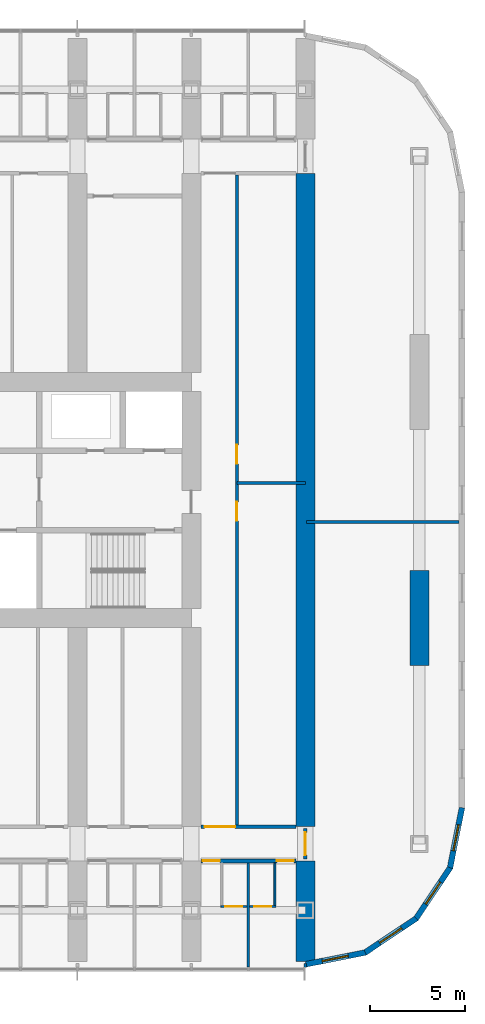
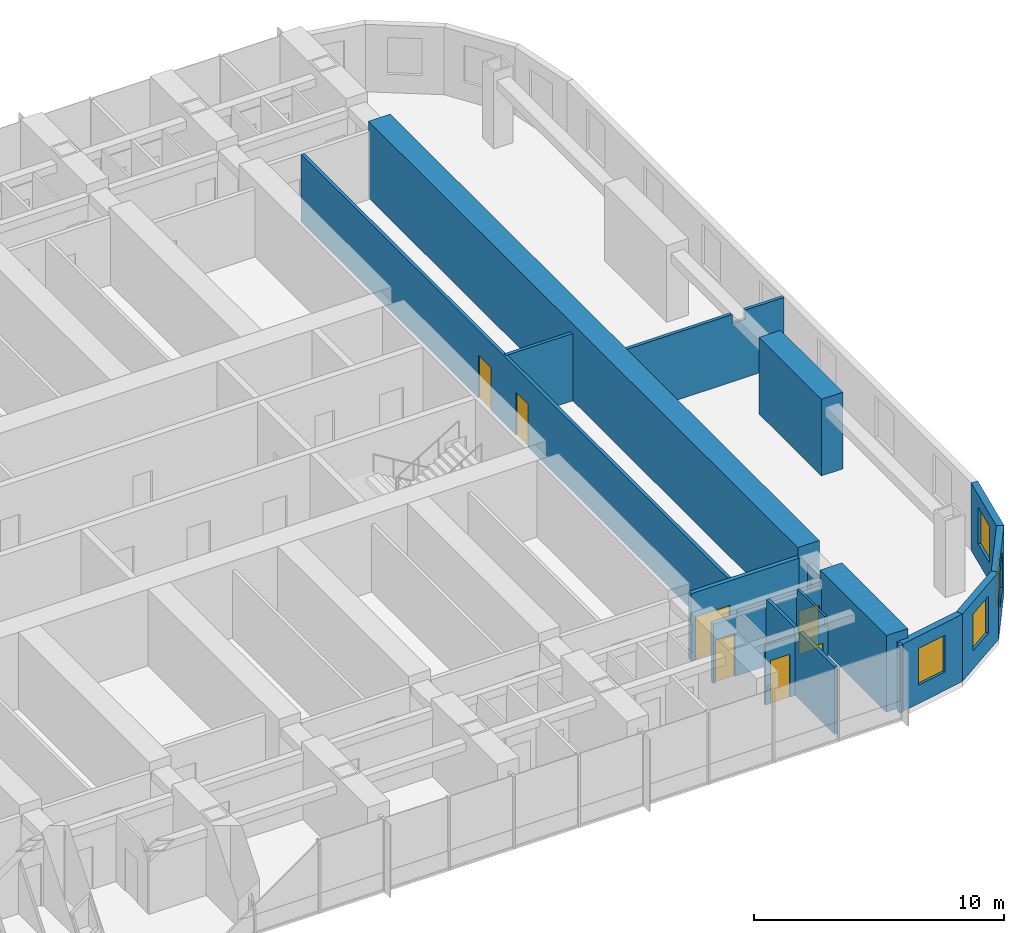
# One storey, part 18 of 24: 18 walls, 8 doors, 4 windows, 12 openings.
"""IFC4 building model written with IfcOpenShell, lengths in metres."""

from ifc_helpers import new_model, si_unit, direction, frame, frame_2d, origin, place, context, subcontext, project, spatial, polyline, rectangle, outline, extrude, material, layer, layer_set, type_object, element, fill, save


model = new_model("IFC4")

# Units and contexts
model_context = context("Model", 3, precision=1e-05, world=origin(), true_north=direction((0.0, 1.0)))
body_context = subcontext(model_context, "Body", "Model", "MODEL_VIEW")
ifc_project = project(units=[si_unit("LENGTHUNIT", "METRE"), si_unit("AREAUNIT", "SQUARE_METRE"), si_unit("VOLUMEUNIT", "CUBIC_METRE"), si_unit("PLANEANGLEUNIT", "RADIAN"), si_unit("MASSUNIT", "GRAM", prefix="KILO")], contexts=[model_context])

# Site, building, storey
site_placement = place(None, origin())
site = spatial("IfcSite", under=ifc_project, at=site_placement, CompositionType="ELEMENT")
building_placement = place(site_placement, origin())
building = spatial("IfcBuilding", under=site, at=building_placement, Name="Orbita Commons", CompositionType="ELEMENT")
storey_placement = place(building_placement, frame((0.0, 0.0, 35.199951171875)))
storey = spatial("IfcBuildingStorey", under=building, at=storey_placement, Name="L08", CompositionType="ELEMENT", Elevation=35.199951171875)

# Wall, openings, doors
ifc_material_1 = material(Name="Concrete blockwork", Category="masonry")
ifc_layer_1 = layer(ifc_material_1, 0.199951171875)
ifc_layer_set_1 = layer_set([ifc_layer_1], Name="Concrete blockwork")
wall_type_1 = type_object("IfcWallType", Name="Corridor wall 200 blockwork", PredefinedType="SOLIDWALL", material=ifc_layer_set_1)
wall_1_placement = place(storey_placement, frame((66.5, 13.0, 0.0), z_axis=(0.0, 0.0, 1.0), x_axis=(1.0, 0.0, 0.0)))
wall_1 = element("IfcWall", 1, at=wall_1_placement, inside=storey, type_object=wall_type_1, Name="Corridor wall 200 blockwork L08", PredefinedType="SOLIDWALL", context=body_context, shape_type="SweptSolid", body=[
    extrude(outline(polyline([(0.0, 0.0), (5.0, 0.0), (5.0, 2.900146484375), (0.0, 2.900146484375), (0.0, 0.0)])), frame((0.0, 0.10009765625, 0.0), z_axis=(0.0, -1.0, 0.0), x_axis=(1.0, 0.0, 0.0)), (0.0, 0.0, 1.0), 0.199951171875),
])
opening_1_placement = place(wall_1_placement, frame((0.10009765625, 0.0, 0.0)))
opening_1 = element("IfcOpeningElement", 2, at=opening_1_placement, cuts=wall_1, Name="Opening D11", PredefinedType="OPENING", context=body_context, shape_type="SweptSolid", body=[
    extrude(rectangle(XDim=0.89990234375, YDim=2.10009765625, at=frame_2d((0.449951171875, 1.050048828125))), frame((0.0, 0.10986328125, 0.0), z_axis=(0.0, -1.0, 0.0), x_axis=(1.0, 0.0, 0.0)), (0.0, 0.0, 1.0), 0.219970703125),
])
opening_2_placement = place(wall_1_placement, frame((4.0, 0.0, 0.0)))
opening_2 = element("IfcOpeningElement", 3, at=opening_2_placement, cuts=wall_1, Name="Opening D11", PredefinedType="OPENING", context=body_context, shape_type="SweptSolid", body=[
    extrude(rectangle(XDim=0.89990234375, YDim=2.10009765625, at=frame_2d((0.449951171875, 1.050048828125))), frame((0.0, 0.10986328125, 0.0), z_axis=(0.0, -1.0, 0.0), x_axis=(1.0, 0.0, 0.0)), (0.0, 0.0, 1.0), 0.219970703125),
])
ifc_material_2 = material(Name="Steel-faced fire door leaf", Category="steel")
door_type_1 = type_object("IfcDoorType", Name="Corridor door 20 min 900x2100", OperationType="SINGLE_SWING_LEFT", PredefinedType="DOOR", material=ifc_material_2)
door_1_placement = place(opening_1_placement, origin())
door_1 = element("IfcDoor", 4, at=door_1_placement, inside=storey, type_object=door_type_1, Name="House bedroom L08-S18 door", OperationType="SINGLE_SWING_LEFT", OverallHeight=2.10009765625, OverallWidth=0.89990234375, PredefinedType="DOOR", context=body_context, shape_type="SweptSolid", body=[
    extrude(rectangle(XDim=0.89990234375, YDim=2.10009765625, at=frame_2d((0.449951171875, 1.050048828125))), frame((0.0, 0.02490234375, 0.0), z_axis=(0.0, -1.0, 0.0), x_axis=(1.0, 0.0, 0.0)), (0.0, 0.0, 1.0), 0.050048828125),
])
fill(opening_1, door_1)
door_2_placement = place(opening_2_placement, origin())
door_2 = element("IfcDoor", 5, at=door_2_placement, inside=storey, type_object=door_type_1, Name="House bedroom L08-S19 door", OperationType="SINGLE_SWING_LEFT", OverallHeight=2.10009765625, OverallWidth=0.89990234375, PredefinedType="DOOR", context=body_context, shape_type="SweptSolid", body=[
    extrude(rectangle(XDim=0.89990234375, YDim=2.10009765625, at=frame_2d((0.449951171875, 1.050048828125))), frame((0.0, 0.02490234375, 0.0), z_axis=(0.0, -1.0, 0.0), x_axis=(1.0, 0.0, 0.0)), (0.0, 0.0, 1.0), 0.050048828125),
])
fill(opening_2, door_2)

# Wall, opening, door
wall_2_placement = place(storey_placement, frame((72.0, 13.10009765625, 0.0), z_axis=(0.0, 0.0, 1.0), x_axis=(0.0, 1.0, 0.0)))
wall_2 = element("IfcWall", 6, at=wall_2_placement, inside=storey, type_object=wall_type_1, Name="Corridor wall 200 blockwork L08", PredefinedType="SOLIDWALL", context=body_context, shape_type="SweptSolid", body=[
    extrude(outline(polyline([(0.0, 0.0), (1.599853515625, 0.0), (1.60009765625, 2.85009765625), (0.0, 2.85009765625), (0.0, 0.0)])), frame((0.0, 0.10009765625, 0.0), z_axis=(0.0, -1.0, 0.0), x_axis=(1.0, 0.0, 0.0)), (0.0, 0.0, 1.0), 0.199951171875),
])
opening_3_placement = place(wall_2_placement, frame((0.199951171875, 0.0, 0.0)))
opening_3 = element("IfcOpeningElement", 7, at=opening_3_placement, cuts=wall_2, Name="Opening D12", PredefinedType="OPENING", context=body_context, shape_type="SweptSolid", body=[
    extrude(rectangle(XDim=1.199951171875, YDim=2.10009765625, at=frame_2d((0.60009765625, 1.050048828125))), frame((0.0, 0.10986328125, 0.0), z_axis=(0.0, -1.0, 0.0), x_axis=(1.0, 0.0, 0.0)), (0.0, 0.0, 1.0), 0.219970703125),
])
ifc_material_3 = material(Name="Steel-faced fire door leaf", Category="steel")
door_type_2 = type_object("IfcDoorType", Name="Double corridor door 20 min 1200x2100", OperationType="DOUBLE_DOOR_SINGLE_SWING", PredefinedType="DOOR", material=ifc_material_3)
door_3_placement = place(opening_3_placement, origin())
door_3 = element("IfcDoor", 8, at=door_3_placement, inside=storey, type_object=door_type_2, Name="Lounge doors", OperationType="DOUBLE_DOOR_SINGLE_SWING", OverallHeight=2.10009765625, OverallWidth=1.199951171875, PredefinedType="DOOR", context=body_context, shape_type="SweptSolid", body=[
    extrude(rectangle(XDim=1.199951171875, YDim=2.10009765625, at=frame_2d((0.60009765625, 1.050048828125))), frame((0.0, 0.02490234375, 0.0), z_axis=(0.0, -1.0, 0.0), x_axis=(1.0, 0.0, 0.0)), (0.0, 0.0, 1.0), 0.050048828125),
])
fill(opening_3, door_3)

ifc_material_4 = material(Name="Hollow concrete block 200", Category="concrete")
ifc_layer_2 = layer(ifc_material_4, 0.199951171875)
ifc_layer_set_2 = layer_set([ifc_layer_2], Name="Hollow concrete block 200")
wall_type_2 = type_object("IfcWallType", Name="Corridor wall 200 hollow concrete block", PredefinedType="SOLIDWALL", material=ifc_layer_set_2)
wall_3_placement = place(storey_placement, frame((66.5, 14.800048828125, 0.0), z_axis=(0.0, 0.0, 1.0), x_axis=(1.0, 0.0, 0.0)))
wall_3 = element("IfcWall", 9, at=wall_3_placement, inside=storey, type_object=wall_type_2, Name="Corridor wall 200 hollow concrete block L08", PredefinedType="SOLIDWALL", context=body_context, shape_type="SweptSolid", body=[
    extrude(rectangle(XDim=5.0, YDim=0.199951171875, at=frame_2d((2.5, 0.0))), origin(), (0.0, 0.0, 1.0), 3.300048828125),
])
opening_4_placement = place(wall_3_placement, frame((0.199951171875, 0.0, 0.0)))
opening_4 = element("IfcOpeningElement", 10, at=opening_4_placement, cuts=wall_3, Name="Opening D10", PredefinedType="OPENING", context=body_context, shape_type="SweptSolid", body=[
    extrude(rectangle(XDim=1.60009765625, YDim=2.10009765625, at=frame_2d((0.800048828125, 1.050048828125))), frame((0.0, 0.10986328125, 0.0), z_axis=(0.0, -1.0, 0.0), x_axis=(1.0, 0.0, 0.0)), (0.0, 0.0, 1.0), 0.219970703125),
])
ifc_material_5 = material(Name="Steel-faced fire door leaf", Category="steel")
door_type_3 = type_object("IfcDoorType", Name="Double corridor door 20 min 1600x2100", OperationType="DOUBLE_DOOR_SINGLE_SWING", PredefinedType="DOOR", material=ifc_material_5)
door_4_placement = place(opening_4_placement, origin())
door_4 = element("IfcDoor", 11, at=door_4_placement, inside=storey, type_object=door_type_3, Name="Cross corridor doors", OperationType="DOUBLE_DOOR_SINGLE_SWING", OverallHeight=2.10009765625, OverallWidth=1.60009765625, PredefinedType="DOOR", context=body_context, shape_type="SweptSolid", body=[
    extrude(rectangle(XDim=1.60009765625, YDim=2.10009765625, at=frame_2d((0.800048828125, 1.050048828125))), frame((0.0, 0.02490234375, 0.0), z_axis=(0.0, -1.0, 0.0), x_axis=(1.0, 0.0, 0.0)), (0.0, 0.0, 1.0), 0.050048828125),
])
fill(opening_4, door_4)

# Walls
ifc_material_6 = material(Name="Concrete C50/60", Category="concrete")
ifc_layer_3 = layer(ifc_material_6, 1.0)
ifc_layer_set_3 = layer_set([ifc_layer_3], Name="Concrete C50/60")
wall_type_3 = type_object("IfcWallType", Name="Cross wall 1000 C50/60", PredefinedType="SHEAR", material=ifc_layer_set_3)
wall_4_placement = place(storey_placement, frame((72.0, 7.699951171875, 0.0), z_axis=(0.0, 0.0, 1.0), x_axis=(0.0, 1.0, 0.0)))
element("IfcWall", 12, at=wall_4_placement, inside=storey, type_object=wall_type_3, Name="Cross wall 13 south outer L08", PredefinedType="SHEAR", context=body_context, shape_type="SweptSolid", body=[
    extrude(rectangle(XDim=5.300048828125, YDim=1.0, at=frame_2d((2.64990234375, 0.0))), origin(), (0.0, 0.0, 1.0), 3.75),
])
wall_5_placement = place(storey_placement, frame((72.0, 14.800048828125, 0.0), z_axis=(0.0, 0.0, 1.0), x_axis=(0.0, 1.0, 0.0)))
element("IfcWall", 13, at=wall_5_placement, inside=storey, type_object=wall_type_3, Name="Cross wall 13 inner L08", PredefinedType="SHEAR", context=body_context, shape_type="SweptSolid", body=[
    extrude(rectangle(XDim=34.39990234375, YDim=1.0, at=frame_2d((17.199951171875, 0.0))), origin(), (0.0, 0.0, 1.0), 3.75),
])

# Wall, opening, door
ifc_material_7 = material(Name="Moisture-resistant plasterboard on steel studs", Category="steel")
ifc_layer_4 = layer(ifc_material_7, 0.10009765625)
ifc_layer_set_4 = layer_set([ifc_layer_4], Name="Moisture-resistant plasterboard on steel studs")
wall_type_4 = type_object("IfcWallType", Name="En-suite partition 100", PredefinedType="PARTITIONING", material=ifc_layer_set_4)
wall_6_placement = place(storey_placement, frame((68.925048828125, 10.59814453125, 0.0), z_axis=(0.0, 0.0, 1.0), x_axis=(-1.0, 0.0, 0.0)))
wall_6 = element("IfcWall", 14, at=wall_6_placement, inside=storey, type_object=wall_type_4, Name="En-suite partition 100 L08", PredefinedType="PARTITIONING", context=body_context, shape_type="SweptSolid", body=[
    extrude(outline(polyline([(0.0, 0.0), (1.375, 0.0), (1.375, 2.900146484375), (0.0, 2.900146484375), (0.0, 0.0)])), frame((0.0, 0.050048828125, 0.0), z_axis=(0.0, -1.0, 0.0), x_axis=(1.0, 0.0, 0.0)), (0.0, 0.0, 1.0), 0.10009765625),
])
opening_5_placement = place(wall_6_placement, frame((0.237548828125, 0.0, 0.0)))
opening_5 = element("IfcOpeningElement", 15, at=opening_5_placement, cuts=wall_6, Name="Opening D09", PredefinedType="OPENING", context=body_context, shape_type="SweptSolid", body=[
    extrude(rectangle(XDim=0.89990234375, YDim=2.10009765625, at=frame_2d((0.449951171875, 1.050048828125))), frame((0.0, 0.06005859375, 0.0), z_axis=(0.0, -1.0, 0.0), x_axis=(1.0, 0.0, 0.0)), (0.0, 0.0, 1.0), 0.1201171875),
])
ifc_material_8 = material(Name="Laminated timber door leaf", Category="wood")
door_type_4 = type_object("IfcDoorType", Name="En-suite door 900x2100", OperationType="SINGLE_SWING_RIGHT", PredefinedType="DOOR", material=ifc_material_8)
door_5_placement = place(opening_5_placement, origin())
door_5 = element("IfcDoor", 16, at=door_5_placement, inside=storey, type_object=door_type_4, Name="En-suite L08-S18 door", OperationType="SINGLE_SWING_RIGHT", OverallHeight=2.10009765625, OverallWidth=0.89990234375, PredefinedType="DOOR", context=body_context, shape_type="SweptSolid", body=[
    extrude(rectangle(XDim=0.89990234375, YDim=2.10009765625, at=frame_2d((0.449951171875, 1.050048828125))), frame((0.0, 0.02490234375, 0.0), z_axis=(0.0, -1.0, 0.0), x_axis=(1.0, 0.0, 0.0)), (0.0, 0.0, 1.0), 0.050048828125),
])
fill(opening_5, door_5)

wall_7_placement = place(storey_placement, frame((70.449951171875, 10.59814453125, 0.0), z_axis=(0.0, 0.0, 1.0), x_axis=(-1.0, 0.0, 0.0)))
wall_7 = element("IfcWall", 17, at=wall_7_placement, inside=storey, type_object=wall_type_4, Name="En-suite partition 100 L08", PredefinedType="PARTITIONING", context=body_context, shape_type="SweptSolid", body=[
    extrude(outline(polyline([(0.0, 0.0), (1.375, 0.0), (1.375, 2.900146484375), (0.0, 2.900146484375), (0.0, 0.0)])), frame((0.0, 0.050048828125, 0.0), z_axis=(0.0, -1.0, 0.0), x_axis=(1.0, 0.0, 0.0)), (0.0, 0.0, 1.0), 0.10009765625),
])
opening_6_placement = place(wall_7_placement, frame((0.237548828125, 0.0, 0.0)))
opening_6 = element("IfcOpeningElement", 18, at=opening_6_placement, cuts=wall_7, Name="Opening D09", PredefinedType="OPENING", context=body_context, shape_type="SweptSolid", body=[
    extrude(rectangle(XDim=0.89990234375, YDim=2.10009765625, at=frame_2d((0.449951171875, 1.050048828125))), frame((0.0, 0.06005859375, 0.0), z_axis=(0.0, -1.0, 0.0), x_axis=(1.0, 0.0, 0.0)), (0.0, 0.0, 1.0), 0.1201171875),
])
door_6_placement = place(opening_6_placement, origin())
door_6 = element("IfcDoor", 19, at=door_6_placement, inside=storey, type_object=door_type_4, Name="En-suite L08-S19 door", OperationType="SINGLE_SWING_RIGHT", OverallHeight=2.10009765625, OverallWidth=0.89990234375, PredefinedType="DOOR", context=body_context, shape_type="SweptSolid", body=[
    extrude(rectangle(XDim=0.89990234375, YDim=2.10009765625, at=frame_2d((0.449951171875, 1.050048828125))), frame((0.0, 0.02490234375, 0.0), z_axis=(0.0, -1.0, 0.0), x_axis=(1.0, 0.0, 0.0)), (0.0, 0.0, 1.0), 0.050048828125),
])
fill(opening_6, door_6)

# Walls
wall_8_placement = place(storey_placement, frame((70.39990234375, 10.648193359375, 0.0), z_axis=(0.0, 0.0, 1.0), x_axis=(0.0, 1.0, 0.0)))
element("IfcWall", 20, at=wall_8_placement, inside=storey, type_object=wall_type_4, Name="En-suite partition 100 L08", PredefinedType="PARTITIONING", context=body_context, shape_type="SweptSolid", body=[
    extrude(outline(polyline([(0.0, 0.0), (2.251708984375, 0.0), (2.251953125, 2.900146484375), (2.203857421875, 2.900146484375), (2.201904296875, 3.300048828125), (0.0, 3.300048828125), (0.0, 0.0)])), frame((0.0, 0.050048828125, 0.0), z_axis=(0.0, -1.0, 0.0), x_axis=(1.0, 0.0, 0.0)), (0.0, 0.0, 1.0), 0.10009765625),
])
ifc_material_9 = material(Name="Concrete C50/60", Category="concrete")
ifc_layer_5 = layer(ifc_material_9, 1.0)
ifc_layer_set_5 = layer_set([ifc_layer_5], Name="Concrete C50/60")
wall_type_5 = type_object("IfcWallType", Name="End pier 1000x5000 C50/60", PredefinedType="SHEAR", material=ifc_layer_set_5)
wall_9_placement = place(storey_placement, frame((78.0, 23.300048828125, 0.0), z_axis=(0.0, 0.0, 1.0), x_axis=(0.0, 1.0, 0.0)))
element("IfcWall", 21, at=wall_9_placement, inside=storey, type_object=wall_type_5, Name="End pier 14/C L08", PredefinedType="SHEAR", context=body_context, shape_type="SweptSolid", body=[
    extrude(rectangle(XDim=5.0, YDim=1.0, at=frame_2d((2.5, 0.0))), origin(), (0.0, 0.0, 1.0), 3.75),
])

# Wall, openings, doors
ifc_material_10 = material(Name="Gypsum plasterboard on steel studs", Category="steel")
ifc_layer_6 = layer(ifc_material_10, 0.14990234375)
ifc_layer_set_6 = layer_set([ifc_layer_6], Name="Gypsum plasterboard on steel studs")
wall_type_6 = type_object("IfcWallType", Name="Partition 150 plasterboard", PredefinedType="PARTITIONING", material=ifc_layer_set_6)
wall_10_placement = place(storey_placement, frame((68.39990234375, 14.89990234375, 0.0), z_axis=(0.0, 0.0, 1.0), x_axis=(0.0, 1.0, 0.0)))
wall_10 = element("IfcWall", 22, at=wall_10_placement, inside=storey, type_object=wall_type_6, Name="Partition 150 plasterboard L08", PredefinedType="PARTITIONING", context=body_context, shape_type="SweptSolid", body=[
    extrude(rectangle(XDim=34.2001953125, YDim=0.14990234375, at=frame_2d((17.10009765625, 0.0))), origin(), (0.0, 0.0, 1.0), 3.300048828125),
])
opening_7_placement = place(wall_10_placement, frame((16.0, 0.0, 0.0)))
opening_7 = element("IfcOpeningElement", 23, at=opening_7_placement, cuts=wall_10, Name="Opening D06", PredefinedType="OPENING", context=body_context, shape_type="SweptSolid", body=[
    extrude(rectangle(XDim=1.0, YDim=2.10009765625, at=frame_2d((0.5, 1.050048828125))), frame((0.0, 0.0849609375, 0.0), z_axis=(0.0, -1.0, 0.0), x_axis=(1.0, 0.0, 0.0)), (0.0, 0.0, 1.0), 0.169921875),
])
opening_8_placement = place(wall_10_placement, frame((19.0, 0.0, 0.0)))
opening_8 = element("IfcOpeningElement", 24, at=opening_8_placement, cuts=wall_10, Name="Opening D06", PredefinedType="OPENING", context=body_context, shape_type="SweptSolid", body=[
    extrude(rectangle(XDim=1.0, YDim=2.10009765625, at=frame_2d((0.5, 1.050048828125))), frame((0.0, 0.0849609375, 0.0), z_axis=(0.0, -1.0, 0.0), x_axis=(1.0, 0.0, 0.0)), (0.0, 0.0, 1.0), 0.169921875),
])
ifc_material_11 = material(Name="Steel-faced fire door leaf", Category="steel")
door_type_5 = type_object("IfcDoorType", Name="Corridor door 20 min 1000x2100", OperationType="SINGLE_SWING_LEFT", PredefinedType="DOOR", material=ifc_material_11)
door_7_placement = place(opening_7_placement, origin())
door_7 = element("IfcDoor", 25, at=door_7_placement, inside=storey, type_object=door_type_5, Name="Prayer room door", OperationType="SINGLE_SWING_LEFT", OverallHeight=2.10009765625, OverallWidth=1.0, PredefinedType="DOOR", context=body_context, shape_type="SweptSolid", body=[
    extrude(rectangle(XDim=1.0, YDim=2.10009765625, at=frame_2d((0.5, 1.050048828125))), frame((0.0, 0.02490234375, 0.0), z_axis=(0.0, -1.0, 0.0), x_axis=(1.0, 0.0, 0.0)), (0.0, 0.0, 1.0), 0.050048828125),
])
fill(opening_7, door_7)
door_8_placement = place(opening_8_placement, origin())
door_8 = element("IfcDoor", 26, at=door_8_placement, inside=storey, type_object=door_type_5, Name="Quiet room en door", OperationType="SINGLE_SWING_LEFT", OverallHeight=2.10009765625, OverallWidth=1.0, PredefinedType="DOOR", context=body_context, shape_type="SweptSolid", body=[
    extrude(rectangle(XDim=1.0, YDim=2.10009765625, at=frame_2d((0.5, 1.050048828125))), frame((0.0, 0.02490234375, 0.0), z_axis=(0.0, -1.0, 0.0), x_axis=(1.0, 0.0, 0.0)), (0.0, 0.0, 1.0), 0.050048828125),
])
fill(opening_8, door_8)

# Walls
wall_11_placement = place(storey_placement, frame((68.39990234375, 32.89990234375, 0.0), z_axis=(0.0, 0.0, 1.0), x_axis=(1.0, 0.0, 0.0)))
element("IfcWall", 27, at=wall_11_placement, inside=storey, type_object=wall_type_6, Name="Partition 150 plasterboard L08", PredefinedType="PARTITIONING", context=body_context, shape_type="SweptSolid", body=[
    extrude(rectangle(XDim=3.60009765625, YDim=0.14990234375, at=frame_2d((1.800048828125, 0.0))), origin(), (0.0, 0.0, 1.0), 3.300048828125),
])
wall_12_placement = place(storey_placement, frame((72.074951171875, 30.85009765625, 0.0), z_axis=(0.0, 0.0, 1.0), x_axis=(1.0, 0.0, 0.0)))
element("IfcWall", 28, at=wall_12_placement, inside=storey, type_object=wall_type_6, Name="Partition 150 plasterboard L08", PredefinedType="PARTITIONING", context=body_context, shape_type="SweptSolid", body=[
    extrude(outline(polyline([(0.0, 0.0), (8.02001953125, 0.0), (8.02001953125, 3.300048828125), (6.22705078125, 3.300048828125), (6.22509765625, 2.85009765625), (5.626953125, 2.85009765625), (5.625, 3.300048828125), (0.0, 3.300048828125), (0.0, 0.0)])), frame((0.0, 0.074951171875, 0.0), z_axis=(0.0, -1.0, 0.0), x_axis=(1.0, 0.0, 0.0)), (0.0, 0.0, 1.0), 0.14990234375),
])
wall_13_placement = place(storey_placement, frame((72.0, 7.60009765625, 0.0), z_axis=(0.0, 0.0, 1.0), x_axis=(0.0, -1.0, 0.0)))
element("IfcWall", 29, at=wall_13_placement, inside=storey, type_object=wall_type_6, Name="Partition 150 plasterboard L08", PredefinedType="PARTITIONING", context=body_context, shape_type="SweptSolid", body=[
    extrude(rectangle(XDim=0.22021484375, YDim=0.14990234375, at=frame_2d((0.110107421875, 0.0))), origin(), (0.0, 0.0, 1.0), 3.300048828125),
])
ifc_material_12 = material(Name="Gypsum plasterboard on steel studs", Category="steel")
ifc_layer_7 = layer(ifc_material_12, 0.14990234375)
ifc_layer_set_7 = layer_set([ifc_layer_7], Name="Gypsum plasterboard on steel studs")
wall_type_7 = type_object("IfcWallType", Name="Party wall 150 plasterboard", PredefinedType="PARTITIONING", material=ifc_layer_set_7)
wall_14_placement = place(storey_placement, frame((69.0, 7.409912109375, 0.0), z_axis=(0.0, 0.0, 1.0), x_axis=(0.0, 1.0, 0.0)))
element("IfcWall", 30, at=wall_14_placement, inside=storey, type_object=wall_type_7, Name="Party wall 150 plasterboard L08", PredefinedType="PARTITIONING", context=body_context, shape_type="SweptSolid", body=[
    extrude(outline(polyline([(0.0, 0.0), (5.489990234375, 0.0), (5.489990234375, 2.900146484375), (5.44189453125, 2.900146484375), (5.43994140625, 3.300048828125), (3.19189453125, 3.300048828125), (3.18994140625, 2.900146484375), (2.7919921875, 2.900146484375), (2.7900390625, 3.300048828125), (0.0, 3.300048828125), (0.0, 0.0)])), frame((0.0, 0.074951171875, 0.0), z_axis=(0.0, -1.0, 0.0), x_axis=(1.0, 0.0, 0.0)), (0.0, 0.0, 1.0), 0.14990234375),
])

# Wall, opening, window
ifc_material_13 = material(Name="Precast concrete C40/50, white board-marked finish", Category="concrete")
ifc_layer_8 = layer(ifc_material_13, 0.300048828125)
ifc_layer_set_8 = layer_set([ifc_layer_8], Name="Precast concrete C40/50, white board-marked finish")
wall_type_8 = type_object("IfcWallType", Name="Precast concrete end shield 300", PredefinedType="SOLIDWALL", material=ifc_layer_set_8)
wall_15_placement = place(storey_placement, frame((72.0, 7.550048828125, 0.0), z_axis=(0.0, 0.0, 1.0), x_axis=(0.980787251524, 0.195080412259, 0.0)))
wall_15 = element("IfcWall", 31, at=wall_15_placement, inside=storey, type_object=wall_type_8, Name="End shield SE chord 1 L08", PredefinedType="SOLIDWALL", context=body_context, shape_type="SweptSolid", body=[
    extrude(outline(polyline([(-0.02978515625, -0.14990234375), (3.24853515625, -0.14990234375), (3.18896484375, 0.14990234375), (0.02978515625, 0.14990234375), (-0.02978515625, -0.14990234375)])), origin(), (0.0, 0.0, 1.0), 3.300048828125),
])
opening_9_placement = place(wall_15_placement, frame((0.909423828125, 0.0, 0.89990234375)))
opening_9 = element("IfcOpeningElement", 32, at=opening_9_placement, cuts=wall_15, Name="Opening W02", PredefinedType="OPENING", context=body_context, shape_type="SweptSolid", body=[
    extrude(rectangle(XDim=1.39990234375, YDim=1.800048828125, at=frame_2d((0.699951171875, 0.89990234375))), frame((0.0, 0.159912109375, 0.0), z_axis=(0.0, -1.0, 0.0), x_axis=(1.0, 0.0, 0.0)), (0.0, 0.0, 1.0), 0.320068359375),
])
ifc_material_14 = material(Name="Aluminium frame, clear double glazing", Category="aluminium")
window_type = type_object("IfcWindowType", Name="Deep-set window 1400x1800", PartitioningType="SINGLE_PANEL", PredefinedType="WINDOW", material=ifc_material_14)
window_1_placement = place(opening_9_placement, origin())
window_1 = element("IfcWindow", 33, at=window_1_placement, inside=storey, type_object=window_type, Name="Window L08-SE0", OverallHeight=1.800048828125, OverallWidth=1.39990234375, PartitioningType="SINGLE_PANEL", PredefinedType="WINDOW", context=body_context, shape_type="SweptSolid", body=[
    extrude(rectangle(XDim=1.39990234375, YDim=1.800048828125, at=frame_2d((0.699951171875, 0.89990234375))), frame((0.0, 0.030029296875, 0.0), z_axis=(0.0, -1.0, 0.0), x_axis=(1.0, 0.0, 0.0)), (0.0, 0.0, 1.0), 0.06005859375),
])
fill(opening_9, window_1)

wall_16_placement = place(storey_placement, frame((75.156982421875, 8.177978515625, 0.0), z_axis=(0.0, 0.0, 1.0), x_axis=(0.831478105043, 0.555557522525, 0.0)))
wall_16 = element("IfcWall", 34, at=wall_16_placement, inside=storey, type_object=wall_type_8, Name="End shield SE chord 2 L08", PredefinedType="SOLIDWALL", context=body_context, shape_type="SweptSolid", body=[
    extrude(outline(polyline([(-0.02978515625, -0.14990234375), (3.248779296875, -0.14990234375), (3.189208984375, 0.14990234375), (0.02978515625, 0.14990234375), (-0.02978515625, -0.14990234375)])), origin(), (0.0, 0.0, 1.0), 3.300048828125),
])
opening_10_placement = place(wall_16_placement, frame((0.909423828125, 0.0, 0.89990234375)))
opening_10 = element("IfcOpeningElement", 35, at=opening_10_placement, cuts=wall_16, Name="Opening W02", PredefinedType="OPENING", context=body_context, shape_type="SweptSolid", body=[
    extrude(rectangle(XDim=1.39990234375, YDim=1.800048828125, at=frame_2d((0.699951171875, 0.89990234375))), frame((0.0, 0.159912109375, 0.0), z_axis=(0.0, -1.0, 0.0), x_axis=(1.0, 0.0, 0.0)), (0.0, 0.0, 1.0), 0.320068359375),
])
window_2_placement = place(opening_10_placement, origin())
window_2 = element("IfcWindow", 36, at=window_2_placement, inside=storey, type_object=window_type, Name="Window L08-SE1", OverallHeight=1.800048828125, OverallWidth=1.39990234375, PartitioningType="SINGLE_PANEL", PredefinedType="WINDOW", context=body_context, shape_type="SweptSolid", body=[
    extrude(rectangle(XDim=1.39990234375, YDim=1.800048828125, at=frame_2d((0.699951171875, 0.89990234375))), frame((0.0, 0.030029296875, 0.0), z_axis=(0.0, -1.0, 0.0), x_axis=(1.0, 0.0, 0.0)), (0.0, 0.0, 1.0), 0.06005859375),
])
fill(opening_10, window_2)

wall_17_placement = place(storey_placement, frame((77.83349609375, 9.96630859375, 0.0), z_axis=(0.0, 0.0, 1.0), x_axis=(0.555609954424, 0.831443069936, 0.0)))
wall_17 = element("IfcWall", 37, at=wall_17_placement, inside=storey, type_object=wall_type_8, Name="End shield SE chord 3 L08", PredefinedType="SOLIDWALL", context=body_context, shape_type="SweptSolid", body=[
    extrude(outline(polyline([(-0.02978515625, -0.14990234375), (3.2490234375, -0.14990234375), (3.189453125, 0.14990234375), (0.02978515625, 0.14990234375), (-0.02978515625, -0.14990234375)])), origin(), (0.0, 0.0, 1.0), 3.300048828125),
])
opening_11_placement = place(wall_17_placement, frame((0.909423828125, 0.0, 0.89990234375)))
opening_11 = element("IfcOpeningElement", 38, at=opening_11_placement, cuts=wall_17, Name="Opening W02", PredefinedType="OPENING", context=body_context, shape_type="SweptSolid", body=[
    extrude(rectangle(XDim=1.39990234375, YDim=1.800048828125, at=frame_2d((0.699951171875, 0.89990234375))), frame((0.0, 0.159912109375, 0.0), z_axis=(0.0, -1.0, 0.0), x_axis=(1.0, 0.0, 0.0)), (0.0, 0.0, 1.0), 0.320068359375),
])
window_3_placement = place(opening_11_placement, origin())
window_3 = element("IfcWindow", 39, at=window_3_placement, inside=storey, type_object=window_type, Name="Window L08-SE2", OverallHeight=1.800048828125, OverallWidth=1.39990234375, PartitioningType="SINGLE_PANEL", PredefinedType="WINDOW", context=body_context, shape_type="SweptSolid", body=[
    extrude(rectangle(XDim=1.39990234375, YDim=1.800048828125, at=frame_2d((0.699951171875, 0.89990234375))), frame((0.0, 0.030029296875, 0.0), z_axis=(0.0, -1.0, 0.0), x_axis=(1.0, 0.0, 0.0)), (0.0, 0.0, 1.0), 0.06005859375),
])
fill(opening_11, window_3)

wall_18_placement = place(storey_placement, frame((79.6220703125, 12.642822265625, 0.0), z_axis=(0.0, 0.0, 1.0), x_axis=(0.195065901187, 0.980790137692, 0.0)))
wall_18 = element("IfcWall", 40, at=wall_18_placement, inside=storey, type_object=wall_type_8, Name="End shield SE chord 4 L08", PredefinedType="SOLIDWALL", context=body_context, shape_type="SweptSolid", body=[
    extrude(outline(polyline([(-0.02978515625, -0.14990234375), (3.23388671875, -0.14990234375), (3.2041015625, 0.14990234375), (0.02978515625, 0.14990234375), (-0.02978515625, -0.14990234375)])), origin(), (0.0, 0.0, 1.0), 3.300048828125),
])
opening_12_placement = place(wall_18_placement, frame((0.909423828125, 0.0, 0.89990234375)))
opening_12 = element("IfcOpeningElement", 41, at=opening_12_placement, cuts=wall_18, Name="Opening W02", PredefinedType="OPENING", context=body_context, shape_type="SweptSolid", body=[
    extrude(rectangle(XDim=1.39990234375, YDim=1.800048828125, at=frame_2d((0.699951171875, 0.89990234375))), frame((0.0, 0.159912109375, 0.0), z_axis=(0.0, -1.0, 0.0), x_axis=(1.0, 0.0, 0.0)), (0.0, 0.0, 1.0), 0.320068359375),
])
window_4_placement = place(opening_12_placement, origin())
window_4 = element("IfcWindow", 42, at=window_4_placement, inside=storey, type_object=window_type, Name="Window L08-SE3", OverallHeight=1.800048828125, OverallWidth=1.39990234375, PartitioningType="SINGLE_PANEL", PredefinedType="WINDOW", context=body_context, shape_type="SweptSolid", body=[
    extrude(rectangle(XDim=1.39990234375, YDim=1.800048828125, at=frame_2d((0.699951171875, 0.89990234375))), frame((0.0, 0.030029296875, 0.0), z_axis=(0.0, -1.0, 0.0), x_axis=(1.0, 0.0, 0.0)), (0.0, 0.0, 1.0), 0.06005859375),
])
fill(opening_12, window_4)

save(model, "model.ifc")
